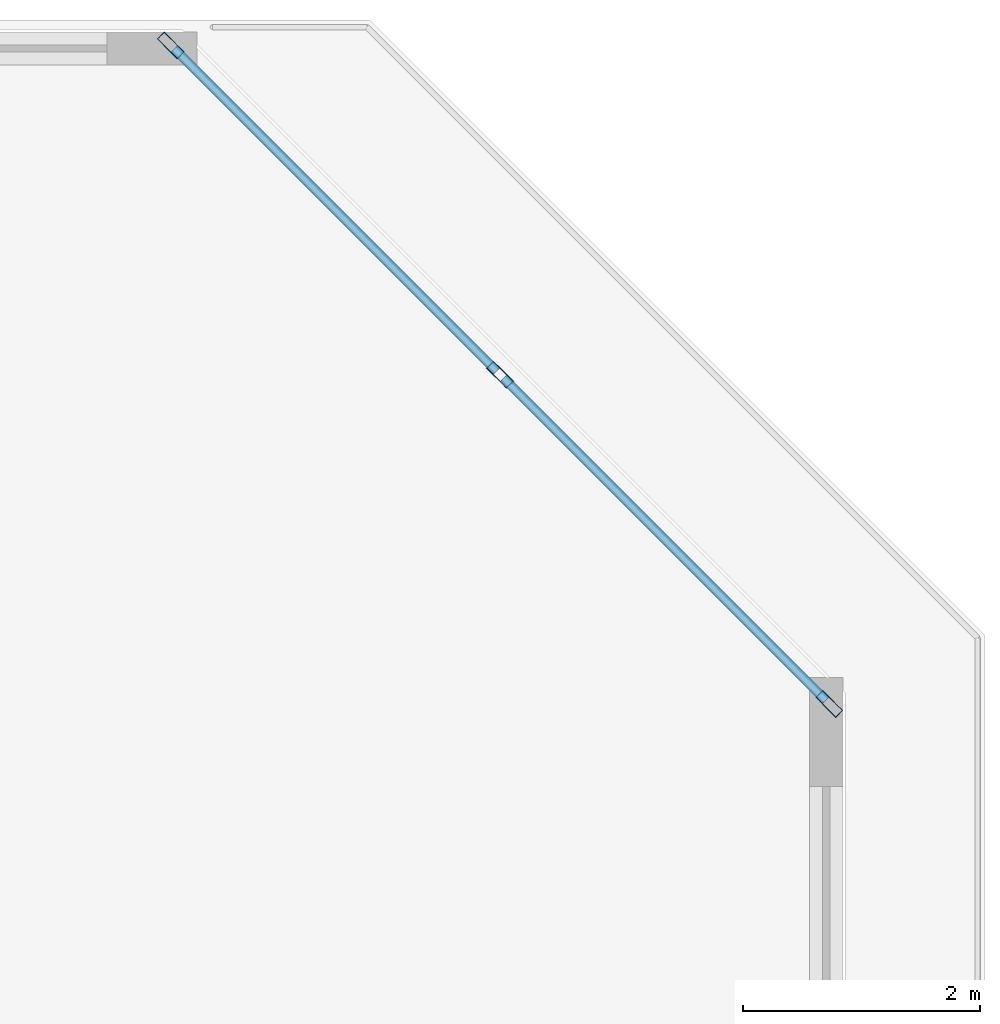
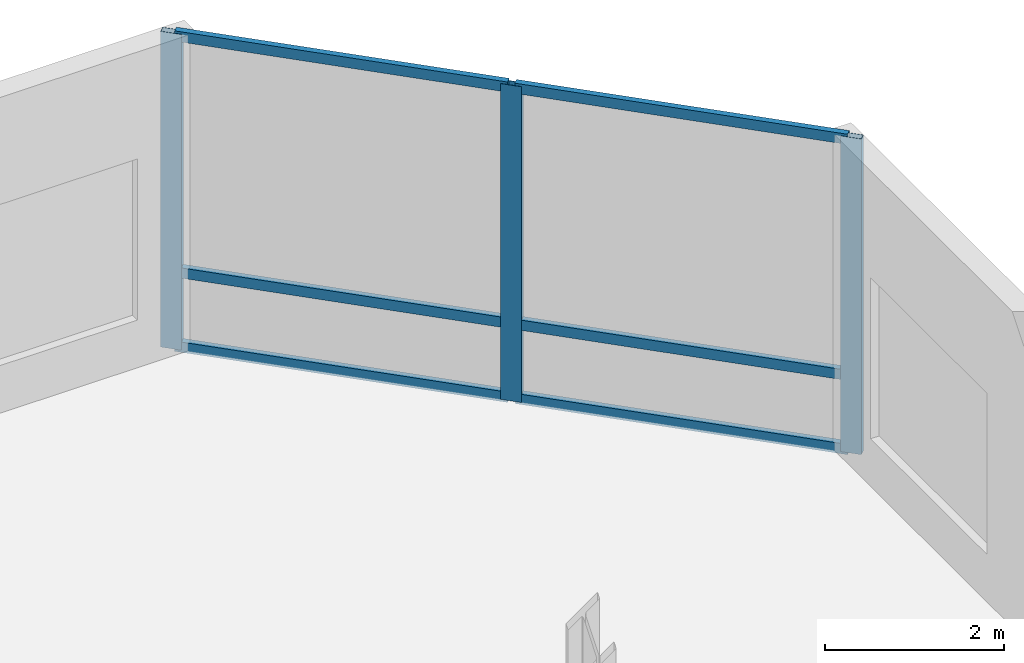
# One storey, part 4 of 12: 9 members, 1 element without a shape of its own.
"""IFC4 building model written with IfcOpenShell, lengths in metres."""

from ifc_helpers import new_model, si_unit, direction, frame, origin, origin_2d, place, context, subcontext, project, spatial, hollow_rectangle, extrude, material, layer, layer_set, material_profile, profile_set, type_object, element, aggregate, save


model = new_model("IFC4")

# Units and contexts
model_context = context("Model", 3, precision=1e-05, world=origin(), true_north=direction((0.0, 1.0)))
body_context = subcontext(model_context, "Body", "Model", "MODEL_VIEW")
ifc_project = project(units=[si_unit("LENGTHUNIT", "METRE"), si_unit("AREAUNIT", "SQUARE_METRE"), si_unit("VOLUMEUNIT", "CUBIC_METRE"), si_unit("PLANEANGLEUNIT", "RADIAN"), si_unit("MASSUNIT", "GRAM", prefix="KILO")], contexts=[model_context])

# Site, building, storey
site_placement = place(None, origin())
site = spatial("IfcSite", under=ifc_project, at=site_placement, CompositionType="ELEMENT")
building_placement = place(site_placement, origin())
building = spatial("IfcBuilding", under=site, at=building_placement, Name="Kestravale Grand Hotel", CompositionType="ELEMENT")
storey_placement = place(building_placement, frame((0.0, 0.0, 302.0)))
storey = spatial("IfcBuildingStorey", under=building, at=storey_placement, Name="L75", CompositionType="ELEMENT", Elevation=302.0)

# Curtain wall, members
ifc_material_1 = material(Name="Thermally broken champagne-bronze aluminium and low-E glazing", Category="aluminium")
ifc_layer = layer(ifc_material_1, 0.239990234375)
ifc_layer_set = layer_set([ifc_layer], Name="CW-OBS")
curtain_wall_type = type_object("IfcCurtainWallType", Name="CW-OBS", PredefinedType="NOTDEFINED", material=ifc_layer_set)
curtain_wall_placement = place(storey_placement, origin())
curtain_wall = element("IfcCurtainWall", 1, at=curtain_wall_placement, inside=storey, type_object=curtain_wall_type, Name="L75 unitised curtain wall 10", PredefinedType="NOTDEFINED")
ifc_material_2 = material(Name="Aluminium 6063-T6 anodised", Category="aluminium")
ifc_material_profile_1 = material_profile(ifc_material_2, hollow_rectangle(XDim=0.0849609375, YDim=0.239990234375, WallThickness=0.00439453125, at=origin_2d()))
ifc_profile_set_1 = profile_set([ifc_material_profile_1], Name="Aluminium 6063-T6 anodised")
member_type_1 = type_object("IfcMemberType", Name="CW-MUL-240", PredefinedType="MULLION", material=ifc_profile_set_1)
member_1_placement = place(storey_placement, frame((67.68505859375, 41.716796875, 0.0), z_axis=(0.0, 0.0, 1.0), x_axis=(-0.707106781187, -0.707106781187, 0.0)))
member_1 = element("IfcMember", 2, at=member_1_placement, type_object=member_type_1, Name="CW-OBS mullion 1", PredefinedType="MULLION", context=body_context, shape_type="SweptSolid", body=[
    extrude(hollow_rectangle(XDim=0.0849609375, YDim=0.239990234375, WallThickness=0.00439453125, at=origin_2d()), origin(), (0.0, 0.0, 1.0), 4.31005859375),
])
member_2_placement = place(storey_placement, frame((64.90087890625, 44.5009765625, 0.0), z_axis=(0.0, 0.0, 1.0), x_axis=(-0.707106781187, -0.707106781187, 0.0)))
member_2 = element("IfcMember", 3, at=member_2_placement, type_object=member_type_1, Name="CW-OBS mullion 2", PredefinedType="MULLION", context=body_context, shape_type="SweptSolid", body=[
    extrude(hollow_rectangle(XDim=0.0849609375, YDim=0.239990234375, WallThickness=0.00439453125, at=origin_2d()), origin(), (0.0, 0.0, 1.0), 4.31005859375),
])
member_3_placement = place(storey_placement, frame((62.116943359375, 47.28515625, 0.0), z_axis=(0.0, 0.0, 1.0), x_axis=(-0.707106781187, -0.707106781187, 0.0)))
member_3 = element("IfcMember", 4, at=member_3_placement, type_object=member_type_1, Name="CW-OBS mullion 3", PredefinedType="MULLION", context=body_context, shape_type="SweptSolid", body=[
    extrude(hollow_rectangle(XDim=0.0849609375, YDim=0.239990234375, WallThickness=0.00439453125, at=origin_2d()), origin(), (0.0, 0.0, 1.0), 4.31005859375),
])
ifc_material_3 = material(Name="Aluminium 6063-T6 anodised", Category="aluminium")
ifc_material_profile_2 = material_profile(ifc_material_3, hollow_rectangle(XDim=0.074951171875, YDim=0.139892578125, WallThickness=0.00341796875, at=origin_2d()))
ifc_profile_set_2 = profile_set([ifc_material_profile_2], Name="Aluminium 6063-T6 anodised")
member_type_2 = type_object("IfcMemberType", Name="CW-TRN-140", PredefinedType="USERDEFINED", material=ifc_profile_set_2)
member_4_placement = place(storey_placement, frame((67.655029296875, 41.746826171875, 0.03759765625), z_axis=(-0.707075092967, 0.707138467986, 0.0), x_axis=(-0.707138467986, -0.707075092967, 0.0)))
member_4 = element("IfcMember", 5, at=member_4_placement, type_object=member_type_2, Name="CW-OBS transom 1.1", ObjectType="TRANSOM", PredefinedType="USERDEFINED", context=body_context, shape_type="SweptSolid", body=[
    extrude(hollow_rectangle(XDim=0.074951171875, YDim=0.139892578125, WallThickness=0.00341796875, at=origin_2d()), origin(), (0.0, 0.0, 1.0), 3.852294921875),
])
member_5_placement = place(storey_placement, frame((67.655029296875, 41.746826171875, 1.050048828125), z_axis=(-0.707075092967, 0.707138467986, 0.0), x_axis=(-0.707138467986, -0.707075092967, 0.0)))
member_5 = element("IfcMember", 6, at=member_5_placement, type_object=member_type_2, Name="CW-OBS transom 1.2", ObjectType="TRANSOM", PredefinedType="USERDEFINED", context=body_context, shape_type="SweptSolid", body=[
    extrude(hollow_rectangle(XDim=0.074951171875, YDim=0.139892578125, WallThickness=0.00341796875, at=origin_2d()), origin(), (0.0, 0.0, 1.0), 3.852294921875),
])
member_6_placement = place(storey_placement, frame((67.655029296875, 41.746826171875, 4.2724609375), z_axis=(-0.707075092967, 0.707138467986, 0.0), x_axis=(-0.707138467986, -0.707075092967, 0.0)))
member_6 = element("IfcMember", 7, at=member_6_placement, type_object=member_type_2, Name="CW-OBS transom 1.3", ObjectType="TRANSOM", PredefinedType="USERDEFINED", context=body_context, shape_type="SweptSolid", body=[
    extrude(hollow_rectangle(XDim=0.074951171875, YDim=0.139892578125, WallThickness=0.00341796875, at=origin_2d()), origin(), (0.0, 0.0, 1.0), 3.852294921875),
])
member_7_placement = place(storey_placement, frame((64.870849609375, 44.531005859375, 0.03759765625), z_axis=(-0.707075092967, 0.707138467986, 0.0), x_axis=(-0.707138467986, -0.707075092967, 0.0)))
member_7 = element("IfcMember", 8, at=member_7_placement, type_object=member_type_2, Name="CW-OBS transom 2.1", ObjectType="TRANSOM", PredefinedType="USERDEFINED", context=body_context, shape_type="SweptSolid", body=[
    extrude(hollow_rectangle(XDim=0.074951171875, YDim=0.139892578125, WallThickness=0.00341796875, at=origin_2d()), origin(), (0.0, 0.0, 1.0), 3.852294921875),
])
member_8_placement = place(storey_placement, frame((64.870849609375, 44.531005859375, 1.050048828125), z_axis=(-0.707075092967, 0.707138467986, 0.0), x_axis=(-0.707138467986, -0.707075092967, 0.0)))
member_8 = element("IfcMember", 9, at=member_8_placement, type_object=member_type_2, Name="CW-OBS transom 2.2", ObjectType="TRANSOM", PredefinedType="USERDEFINED", context=body_context, shape_type="SweptSolid", body=[
    extrude(hollow_rectangle(XDim=0.074951171875, YDim=0.139892578125, WallThickness=0.00341796875, at=origin_2d()), origin(), (0.0, 0.0, 1.0), 3.852294921875),
])
member_9_placement = place(storey_placement, frame((64.870849609375, 44.531005859375, 4.2724609375), z_axis=(-0.707075092967, 0.707138467986, 0.0), x_axis=(-0.707138467986, -0.707075092967, 0.0)))
member_9 = element("IfcMember", 10, at=member_9_placement, type_object=member_type_2, Name="CW-OBS transom 2.3", ObjectType="TRANSOM", PredefinedType="USERDEFINED", context=body_context, shape_type="SweptSolid", body=[
    extrude(hollow_rectangle(XDim=0.074951171875, YDim=0.139892578125, WallThickness=0.00341796875, at=origin_2d()), origin(), (0.0, 0.0, 1.0), 3.852294921875),
])
aggregate(curtain_wall, [member_1, member_2, member_3, member_4, member_5, member_6, member_7, member_8, member_9])

save(model, "model.ifc")
